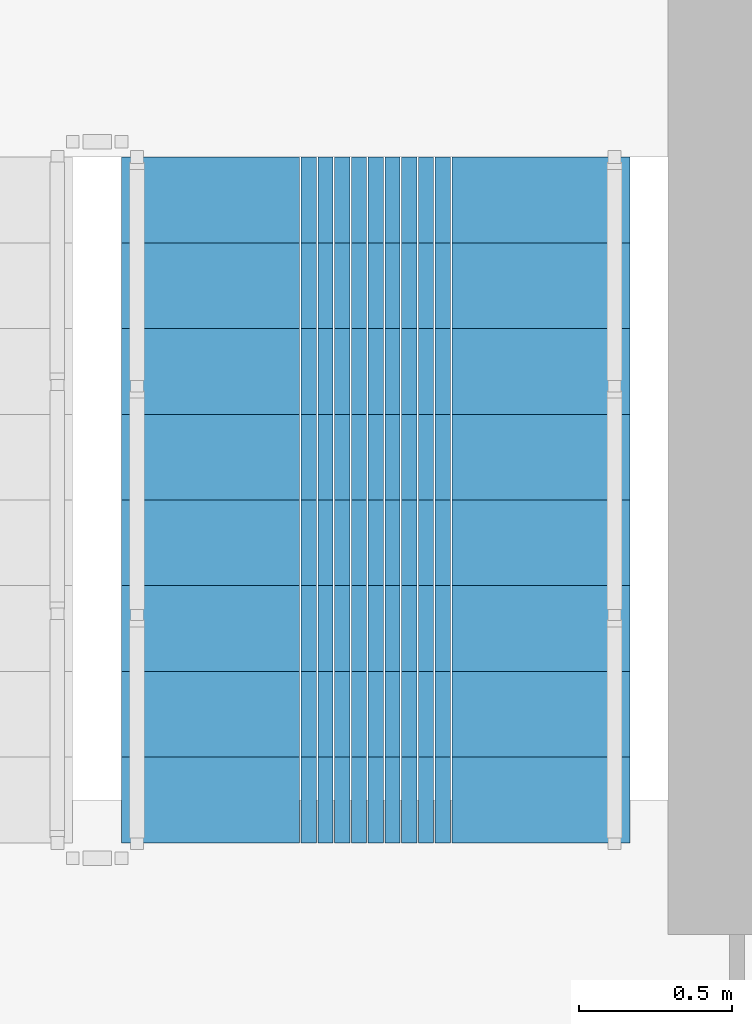
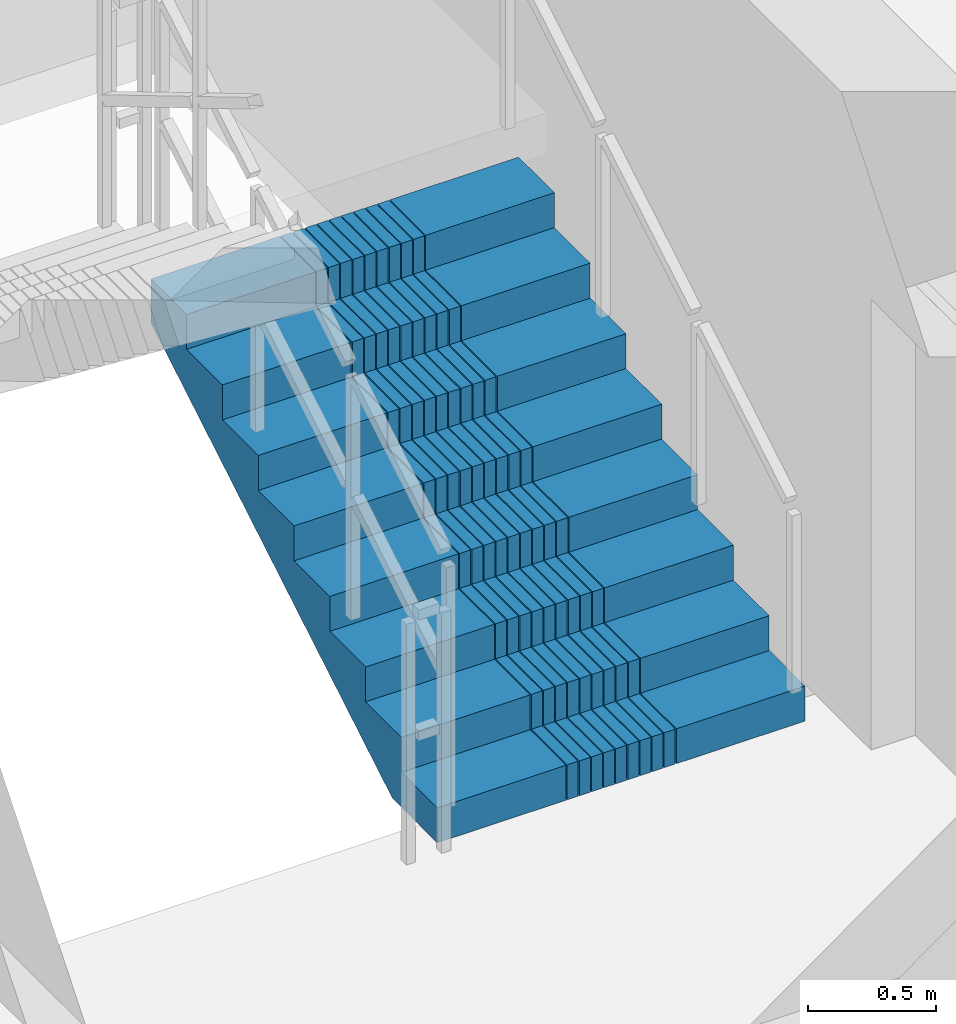
# One storey, part 17 of 22: 1 stair flight, 1 element without a shape of its own.
"""IFC4 building model written with IfcOpenShell, lengths in metres."""

from ifc_helpers import new_model, si_unit, direction, frame, origin, place, context, subcontext, project, spatial, polyline, outline, extrude, material, type_object, element, aggregate, save


model = new_model("IFC4")

# Units and contexts
model_context = context("Model", 3, precision=1e-05, world=origin(), true_north=direction((0.0, 1.0)))
body_context = subcontext(model_context, "Body", "Model", "MODEL_VIEW")
ifc_project = project(units=[si_unit("LENGTHUNIT", "METRE"), si_unit("AREAUNIT", "SQUARE_METRE"), si_unit("VOLUMEUNIT", "CUBIC_METRE"), si_unit("PLANEANGLEUNIT", "RADIAN"), si_unit("MASSUNIT", "GRAM", prefix="KILO")], contexts=[model_context])

# Site, building, storey
site_placement = place(None, origin())
site = spatial("IfcSite", under=ifc_project, at=site_placement, CompositionType="ELEMENT")
building_placement = place(site_placement, origin())
building = spatial("IfcBuilding", under=site, at=building_placement, Name="Saelheon Loggia Tower", CompositionType="ELEMENT")
storey_placement = place(building_placement, frame((0.0, 0.0, 176.800048828125)))
storey = spatial("IfcBuildingStorey", under=building, at=storey_placement, Name="L55", CompositionType="ELEMENT", Elevation=176.800048828125)

# Stair, stair flight
ifc_material = material(Name="Concrete C40/50", Category="concrete")
stair_type = type_object("IfcStairType", Name="Stair_Escape_Core", PredefinedType="HALF_TURN_STAIR", material=ifc_material)
stair_placement = place(storey_placement, origin())
stair = element("IfcStair", 1, at=stair_placement, inside=storey, type_object=stair_type, Name="L55 Special Escape Stair ST2", PredefinedType="HALF_TURN_STAIR")
stair_flight_type = type_object("IfcStairFlightType", Name="StairFlight_Tower_1660", PredefinedType="STRAIGHT", material=ifc_material)
stair_flight_placement = place(storey_placement, frame((43.320068359375, 30.449951171875, 0.0), z_axis=(0.0, 0.0, 1.0), x_axis=(0.0, 1.0, 0.0)))
stair_flight = element("IfcStairFlight", 2, at=stair_flight_placement, type_object=stair_flight_type, Name="ST2 flight 1", NumberOfRisers=9, NumberOfTreads=8, PredefinedType="STRAIGHT", RiserHeight=0.166666667, TreadLength=0.28, context=body_context, shape_type="SweptSolid", body=[
    extrude(outline(polyline([(0.0, 0.0), (0.0, 0.166748046875), (0.280029296875, 0.166748046875), (0.280029296875, 0.333251953125), (0.56005859375, 0.333251953125), (0.56005859375, 0.5), (0.840087890625, 0.5), (0.840087890625, 0.666748046875), (1.1201171875, 0.666748046875), (1.1201171875, 0.833251953125), (1.39990234375, 0.833251953125), (1.39990234375, 1.0), (1.679931640625, 1.0), (1.679931640625, 1.166748046875), (1.9599609375, 1.166748046875), (1.9599609375, 1.333251953125), (2.239990234375, 1.333251953125), (2.239990234375, 1.5), (2.239990234375, 1.1240234375), (0.351806640625, 0.0), (0.0, 0.0)])), frame((0.0, -0.2490234375, 0.0), z_axis=(0.0, -1.0, 0.0), x_axis=(1.0, 0.0, 0.0)), (0.0, 0.0, 1.0), 0.5810546875),
    extrude(outline(polyline([(0.0, 0.0), (0.0, 0.166748046875), (0.280029296875, 0.166748046875), (0.280029296875, 0.333251953125), (0.56005859375, 0.333251953125), (0.56005859375, 0.5), (0.840087890625, 0.5), (0.840087890625, 0.666748046875), (1.1201171875, 0.666748046875), (1.1201171875, 0.833251953125), (1.39990234375, 0.833251953125), (1.39990234375, 1.0), (1.679931640625, 1.0), (1.679931640625, 1.166748046875), (1.9599609375, 1.166748046875), (1.9599609375, 1.333251953125), (2.239990234375, 1.333251953125), (2.239990234375, 1.5), (2.239990234375, 1.1240234375), (0.351806640625, 0.0), (0.0, 0.0)])), frame((0.0, -0.194091796875, 0.0), z_axis=(0.0, -1.0, 0.0), x_axis=(1.0, 0.0, 0.0)), (0.0, 0.0, 1.0), 0.0498046875),
    extrude(outline(polyline([(0.0, 0.0), (0.0, 0.166748046875), (0.280029296875, 0.166748046875), (0.280029296875, 0.333251953125), (0.56005859375, 0.333251953125), (0.56005859375, 0.5), (0.840087890625, 0.5), (0.840087890625, 0.666748046875), (1.1201171875, 0.666748046875), (1.1201171875, 0.833251953125), (1.39990234375, 0.833251953125), (1.39990234375, 1.0), (1.679931640625, 1.0), (1.679931640625, 1.166748046875), (1.9599609375, 1.166748046875), (1.9599609375, 1.333251953125), (2.239990234375, 1.333251953125), (2.239990234375, 1.5), (2.239990234375, 1.1240234375), (0.351806640625, 0.0), (0.0, 0.0)])), frame((0.0, -0.139404296875, 0.0), z_axis=(0.0, -1.0, 0.0), x_axis=(1.0, 0.0, 0.0)), (0.0, 0.0, 1.0), 0.0498046875),
    extrude(outline(polyline([(0.0, 0.0), (0.0, 0.166748046875), (0.280029296875, 0.166748046875), (0.280029296875, 0.333251953125), (0.56005859375, 0.333251953125), (0.56005859375, 0.5), (0.840087890625, 0.5), (0.840087890625, 0.666748046875), (1.1201171875, 0.666748046875), (1.1201171875, 0.833251953125), (1.39990234375, 0.833251953125), (1.39990234375, 1.0), (1.679931640625, 1.0), (1.679931640625, 1.166748046875), (1.9599609375, 1.166748046875), (1.9599609375, 1.333251953125), (2.239990234375, 1.333251953125), (2.239990234375, 1.5), (2.239990234375, 1.1240234375), (0.351806640625, 0.0), (0.0, 0.0)])), frame((0.0, -0.084716796875, 0.0), z_axis=(0.0, -1.0, 0.0), x_axis=(1.0, 0.0, 0.0)), (0.0, 0.0, 1.0), 0.0498046875),
    extrude(outline(polyline([(0.0, 0.0), (0.0, 0.166748046875), (0.280029296875, 0.166748046875), (0.280029296875, 0.333251953125), (0.56005859375, 0.333251953125), (0.56005859375, 0.5), (0.840087890625, 0.5), (0.840087890625, 0.666748046875), (1.1201171875, 0.666748046875), (1.1201171875, 0.833251953125), (1.39990234375, 0.833251953125), (1.39990234375, 1.0), (1.679931640625, 1.0), (1.679931640625, 1.166748046875), (1.9599609375, 1.166748046875), (1.9599609375, 1.333251953125), (2.239990234375, 1.333251953125), (2.239990234375, 1.5), (2.239990234375, 1.1240234375), (0.351806640625, 0.0), (0.0, 0.0)])), frame((0.0, -0.02978515625, 0.0), z_axis=(0.0, -1.0, 0.0), x_axis=(1.0, 0.0, 0.0)), (0.0, 0.0, 1.0), 0.0498046875),
    extrude(outline(polyline([(0.0, 0.0), (0.0, 0.166748046875), (0.280029296875, 0.166748046875), (0.280029296875, 0.333251953125), (0.56005859375, 0.333251953125), (0.56005859375, 0.5), (0.840087890625, 0.5), (0.840087890625, 0.666748046875), (1.1201171875, 0.666748046875), (1.1201171875, 0.833251953125), (1.39990234375, 0.833251953125), (1.39990234375, 1.0), (1.679931640625, 1.0), (1.679931640625, 1.166748046875), (1.9599609375, 1.166748046875), (1.9599609375, 1.333251953125), (2.239990234375, 1.333251953125), (2.239990234375, 1.5), (2.239990234375, 1.1240234375), (0.351806640625, 0.0), (0.0, 0.0)])), frame((0.0, 0.02490234375, 0.0), z_axis=(0.0, -1.0, 0.0), x_axis=(1.0, 0.0, 0.0)), (0.0, 0.0, 1.0), 0.0498046875),
    extrude(outline(polyline([(0.0, 0.0), (0.0, 0.166748046875), (0.280029296875, 0.166748046875), (0.280029296875, 0.333251953125), (0.56005859375, 0.333251953125), (0.56005859375, 0.5), (0.840087890625, 0.5), (0.840087890625, 0.666748046875), (1.1201171875, 0.666748046875), (1.1201171875, 0.833251953125), (1.39990234375, 0.833251953125), (1.39990234375, 1.0), (1.679931640625, 1.0), (1.679931640625, 1.166748046875), (1.9599609375, 1.166748046875), (1.9599609375, 1.333251953125), (2.239990234375, 1.333251953125), (2.239990234375, 1.5), (2.239990234375, 1.1240234375), (0.351806640625, 0.0), (0.0, 0.0)])), frame((0.0, 0.07958984375, 0.0), z_axis=(0.0, -1.0, 0.0), x_axis=(1.0, 0.0, 0.0)), (0.0, 0.0, 1.0), 0.0498046875),
    extrude(outline(polyline([(0.0, 0.0), (0.0, 0.166748046875), (0.280029296875, 0.166748046875), (0.280029296875, 0.333251953125), (0.56005859375, 0.333251953125), (0.56005859375, 0.5), (0.840087890625, 0.5), (0.840087890625, 0.666748046875), (1.1201171875, 0.666748046875), (1.1201171875, 0.833251953125), (1.39990234375, 0.833251953125), (1.39990234375, 1.0), (1.679931640625, 1.0), (1.679931640625, 1.166748046875), (1.9599609375, 1.166748046875), (1.9599609375, 1.333251953125), (2.239990234375, 1.333251953125), (2.239990234375, 1.5), (2.239990234375, 1.1240234375), (0.351806640625, 0.0), (0.0, 0.0)])), frame((0.0, 0.134521484375, 0.0), z_axis=(0.0, -1.0, 0.0), x_axis=(1.0, 0.0, 0.0)), (0.0, 0.0, 1.0), 0.0498046875),
    extrude(outline(polyline([(0.0, 0.0), (0.0, 0.166748046875), (0.280029296875, 0.166748046875), (0.280029296875, 0.333251953125), (0.56005859375, 0.333251953125), (0.56005859375, 0.5), (0.840087890625, 0.5), (0.840087890625, 0.666748046875), (1.1201171875, 0.666748046875), (1.1201171875, 0.833251953125), (1.39990234375, 0.833251953125), (1.39990234375, 1.0), (1.679931640625, 1.0), (1.679931640625, 1.166748046875), (1.9599609375, 1.166748046875), (1.9599609375, 1.333251953125), (2.239990234375, 1.333251953125), (2.239990234375, 1.5), (2.239990234375, 1.1240234375), (0.351806640625, 0.0), (0.0, 0.0)])), frame((0.0, 0.189208984375, 0.0), z_axis=(0.0, -1.0, 0.0), x_axis=(1.0, 0.0, 0.0)), (0.0, 0.0, 1.0), 0.0498046875),
    extrude(outline(polyline([(0.0, 0.0), (0.0, 0.166748046875), (0.280029296875, 0.166748046875), (0.280029296875, 0.333251953125), (0.56005859375, 0.333251953125), (0.56005859375, 0.5), (0.840087890625, 0.5), (0.840087890625, 0.666748046875), (1.1201171875, 0.666748046875), (1.1201171875, 0.833251953125), (1.39990234375, 0.833251953125), (1.39990234375, 1.0), (1.679931640625, 1.0), (1.679931640625, 1.166748046875), (1.9599609375, 1.166748046875), (1.9599609375, 1.333251953125), (2.239990234375, 1.333251953125), (2.239990234375, 1.5), (2.239990234375, 1.1240234375), (0.351806640625, 0.0), (0.0, 0.0)])), frame((0.0, 0.243896484375, 0.0), z_axis=(0.0, -1.0, 0.0), x_axis=(1.0, 0.0, 0.0)), (0.0, 0.0, 1.0), 0.0498046875),
    extrude(outline(polyline([(0.0, 0.0), (0.0, 0.166748046875), (0.280029296875, 0.166748046875), (0.280029296875, 0.333251953125), (0.56005859375, 0.333251953125), (0.56005859375, 0.5), (0.840087890625, 0.5), (0.840087890625, 0.666748046875), (1.1201171875, 0.666748046875), (1.1201171875, 0.833251953125), (1.39990234375, 0.833251953125), (1.39990234375, 1.0), (1.679931640625, 1.0), (1.679931640625, 1.166748046875), (1.9599609375, 1.166748046875), (1.9599609375, 1.333251953125), (2.239990234375, 1.333251953125), (2.239990234375, 1.5), (2.239990234375, 1.1240234375), (0.351806640625, 0.0), (0.0, 0.0)])), frame((0.0, 0.830078125, 0.0), z_axis=(0.0, -1.0, 0.0), x_axis=(1.0, 0.0, 0.0)), (0.0, 0.0, 1.0), 0.5810546875),
])
aggregate(stair, [stair_flight])

save(model, "model.ifc")
